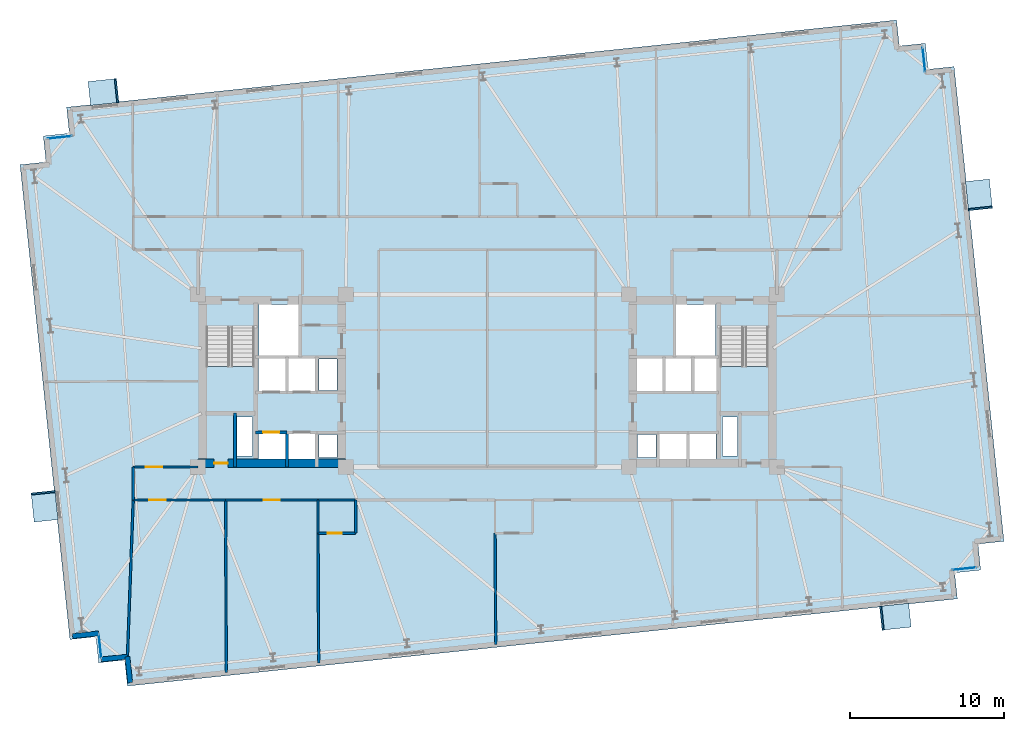
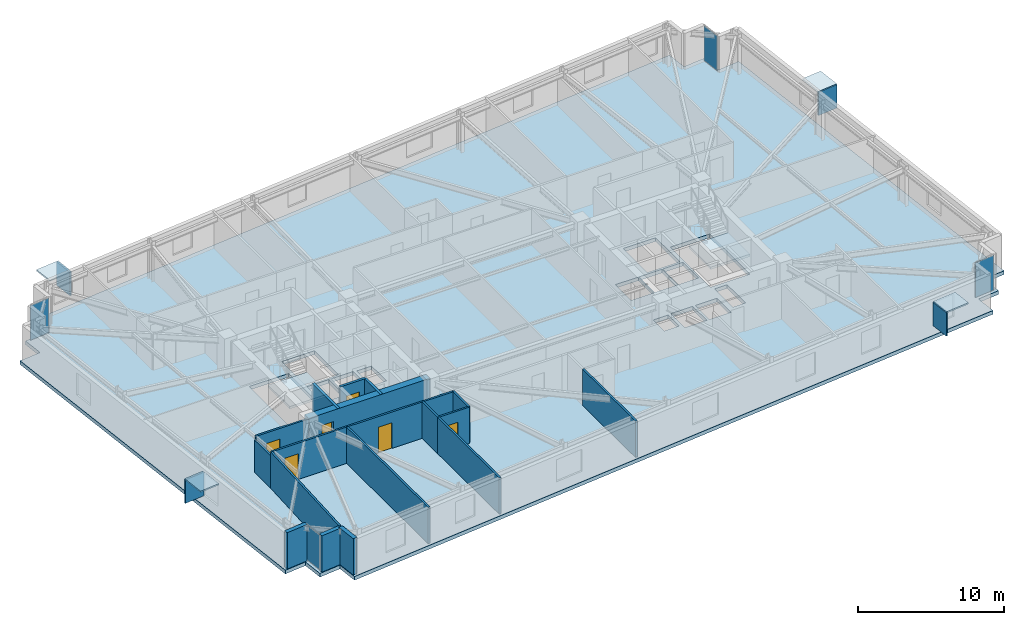
# One storey, part 11 of 17: 19 walls, 12 plates, 6 doors, 3 slabs, 6 openings, 6 elements without a shape of their own.
"""IFC4 building model written with IfcOpenShell, lengths in metres."""

from ifc_helpers import new_model, si_unit, direction, frame, frame_2d, origin, origin_2d, place, context, subcontext, project, spatial, polyline, rectangle, outline, extrude, material, layer, layer_set, type_object, element, fill, aggregate, save


model = new_model("IFC4")

# Units and contexts
model_context = context("Model", 3, precision=1e-05, world=origin(), true_north=direction((0.0, 1.0)))
body_context = subcontext(model_context, "Body", "Model", "MODEL_VIEW")
ifc_project = project(units=[si_unit("LENGTHUNIT", "METRE"), si_unit("AREAUNIT", "SQUARE_METRE"), si_unit("VOLUMEUNIT", "CUBIC_METRE"), si_unit("PLANEANGLEUNIT", "RADIAN"), si_unit("MASSUNIT", "GRAM", prefix="KILO")], contexts=[model_context])

# Site, building, storey
site_placement = place(None, origin())
site = spatial("IfcSite", under=ifc_project, at=site_placement, CompositionType="ELEMENT")
building_placement = place(site_placement, origin())
building = spatial("IfcBuilding", under=site, at=building_placement, Name="Qobustan Lattice House", CompositionType="ELEMENT")
storey_placement = place(building_placement, frame((0.0, 0.0, 105.800048828125)))
storey = spatial("IfcBuildingStorey", under=building, at=storey_placement, Name="L29", CompositionType="ELEMENT", Elevation=105.800048828125)

# Curtain wall, plate
ifc_material_1 = material(Name="Anodised aluminium and low-E glazing", Category="aluminium")
ifc_layer_1 = layer(ifc_material_1, 0.219970703125)
ifc_layer_set_1 = layer_set([ifc_layer_1], Name="Anodised aluminium and low-E glazing")
curtain_wall_type = type_object("IfcCurtainWallType", Name="CW-FAC-01", PredefinedType="USERDEFINED", material=ifc_layer_set_1)
curtain_wall_1_placement = place(storey_placement, origin())
curtain_wall_1 = element("IfcCurtainWall", 1, at=curtain_wall_1_placement, inside=storey, type_object=curtain_wall_type, Name="L29 serrated corner faceted glazing 3", ObjectType="CURTAIN WALL", PredefinedType="USERDEFINED")
ifc_material_2 = material(Name="Clear low-E laminated glass", Category="glass")
ifc_layer_2 = layer(ifc_material_2, 0.031982421875)
ifc_layer_set_2 = layer_set([ifc_layer_2], Name="Clear low-E laminated glass")
plate_type_1 = type_object("IfcPlateType", Name="CWP-VISION-32", PredefinedType="CURTAIN_PANEL", material=ifc_layer_set_2)
plate_1_placement = place(storey_placement, frame((-25.155029296875, -17.2509765625, 0.06494140625), z_axis=(0.0, 0.0, 1.0), x_axis=(-0.104528620025, 0.994521878892, 0.0)))
plate_1 = element("IfcPlate", 2, at=plate_1_placement, type_object=plate_type_1, Name="CW-F1 panel 1.1", PredefinedType="CURTAIN_PANEL", context=body_context, shape_type="SweptSolid", body=[
    extrude(rectangle(XDim=1.56005859375, YDim=0.031982421875, at=origin_2d()), origin(), (0.0, 0.0, 1.0), 2.9150390625),
])
aggregate(curtain_wall_1, [plate_1])

curtain_wall_2_placement = place(storey_placement, origin())
curtain_wall_2 = element("IfcCurtainWall", 3, at=curtain_wall_2_placement, inside=storey, type_object=curtain_wall_type, Name="L29 serrated corner faceted glazing 8", ObjectType="CURTAIN WALL", PredefinedType="USERDEFINED")
plate_2_placement = place(storey_placement, frame((-27.77490234375, 15.80615234375, 0.06494140625), z_axis=(0.0, 0.0, 1.0), x_axis=(0.994521878892, 0.104528620025, 0.0)))
plate_2 = element("IfcPlate", 4, at=plate_2_placement, type_object=plate_type_1, Name="CW-F1 panel 1.1", PredefinedType="CURTAIN_PANEL", context=body_context, shape_type="SweptSolid", body=[
    extrude(rectangle(XDim=1.56005859375, YDim=0.031982421875, at=origin_2d()), origin(), (0.0, 0.0, 1.0), 2.9150390625),
])
aggregate(curtain_wall_2, [plate_2])

curtain_wall_3_placement = place(storey_placement, origin())
curtain_wall_3 = element("IfcCurtainWall", 5, at=curtain_wall_3_placement, inside=storey, type_object=curtain_wall_type, Name="L29 serrated corner faceted glazing 13", ObjectType="CURTAIN WALL", PredefinedType="USERDEFINED")
plate_3_placement = place(storey_placement, frame((28.355224609375, 20.85107421875, 0.06494140625), z_axis=(0.0, 0.0, 1.0), x_axis=(0.104528620025, -0.994521878892, 0.0)))
plate_3 = element("IfcPlate", 6, at=plate_3_placement, type_object=plate_type_1, Name="CW-F1 panel 1.1", PredefinedType="CURTAIN_PANEL", context=body_context, shape_type="SweptSolid", body=[
    extrude(rectangle(XDim=1.56005859375, YDim=0.031982421875, at=origin_2d()), origin(), (0.0, 0.0, 1.0), 2.9150390625),
])
aggregate(curtain_wall_3, [plate_3])

curtain_wall_4_placement = place(storey_placement, origin())
curtain_wall_4 = element("IfcCurtainWall", 7, at=curtain_wall_4_placement, inside=storey, type_object=curtain_wall_type, Name="L29 serrated corner faceted glazing 18", ObjectType="CURTAIN WALL", PredefinedType="USERDEFINED")
plate_4_placement = place(storey_placement, frame((30.974853515625, -12.206298828125, 0.06494140625), z_axis=(0.0, 0.0, 1.0), x_axis=(-0.994521878892, -0.104528620025, 0.0)))
plate_4 = element("IfcPlate", 8, at=plate_4_placement, type_object=plate_type_1, Name="CW-F1 panel 1.1", PredefinedType="CURTAIN_PANEL", context=body_context, shape_type="SweptSolid", body=[
    extrude(rectangle(XDim=1.56005859375, YDim=0.031982421875, at=origin_2d()), origin(), (0.0, 0.0, 1.0), 2.9150390625),
])
aggregate(curtain_wall_4, [plate_4])

# Plates
ifc_material_3 = material(Name="Qobustan limestone GFRC", Category="masonry")
ifc_layer_3 = layer(ifc_material_3, 0.1201171875)
ifc_layer_set_3 = layer_set([ifc_layer_3], Name="Qobustan limestone GFRC")
plate_type_2 = type_object("IfcPlateType", Name="SHD-HOOD-BROW", PredefinedType="USERDEFINED", material=ifc_layer_set_3)
plate_5_placement = place(storey_placement, frame((-28.755615234375, -8.156494140625, 2.699951171875), z_axis=(0.0, 0.0, 1.0), x_axis=(-0.104528463268, 0.994521895368, 0.0)))
element("IfcPlate", 9, at=plate_5_placement, inside=storey, type_object=plate_type_2, Name="L29 splayed Qobustan stone hood brow", ObjectType="SUNSHADE", PredefinedType="USERDEFINED", context=body_context, shape_type="SweptSolid", body=[
    extrude(rectangle(XDim=1.889892578125, YDim=1.56005859375, at=origin_2d()), origin(), (0.0, 0.0, 1.0), 0.1201171875),
])
plate_6_placement = place(storey_placement, frame((-28.84814453125, -7.276123046875, 0.7900390625), z_axis=(0.0, 0.0, 1.0), x_axis=(-0.104528463268, 0.994521895368, 0.0)))
element("IfcPlate", 10, at=plate_6_placement, inside=storey, type_object=plate_type_2, Name="L29 splayed Qobustan stone hood cheek", ObjectType="SUNSHADE", PredefinedType="USERDEFINED", context=body_context, shape_type="SweptSolid", body=[
    extrude(rectangle(XDim=0.1201171875, YDim=1.56005859375, at=origin_2d()), origin(), (0.0, 0.0, 1.0), 1.969970703125),
])
plate_7_placement = place(storey_placement, frame((-24.935302734375, 18.7490234375, 2.699951171875), z_axis=(0.0, 0.0, 1.0), x_axis=(0.994521895368, 0.104528463268, 0.0)))
element("IfcPlate", 11, at=plate_7_placement, inside=storey, type_object=plate_type_2, Name="L29 splayed Qobustan stone hood brow", ObjectType="SUNSHADE", PredefinedType="USERDEFINED", context=body_context, shape_type="SweptSolid", body=[
    extrude(rectangle(XDim=1.840087890625, YDim=1.56005859375, at=origin_2d()), origin(), (0.0, 0.0, 1.0), 0.1201171875),
])
plate_8_placement = place(storey_placement, frame((-24.080078125, 18.839111328125, 0.7900390625), z_axis=(0.0, 0.0, 1.0), x_axis=(0.994521895368, 0.104528463268, 0.0)))
element("IfcPlate", 12, at=plate_8_placement, inside=storey, type_object=plate_type_2, Name="L29 splayed Qobustan stone hood cheek", ObjectType="SUNSHADE", PredefinedType="USERDEFINED", context=body_context, shape_type="SweptSolid", body=[
    extrude(rectangle(XDim=0.1201171875, YDim=1.56005859375, at=origin_2d()), origin(), (0.0, 0.0, 1.0), 1.969970703125),
])
plate_9_placement = place(storey_placement, frame((31.922119140625, 12.074951171875, 2.699951171875), z_axis=(0.0, 0.0, 1.0), x_axis=(0.104528463268, -0.994521895368, 0.0)))
element("IfcPlate", 13, at=plate_9_placement, inside=storey, type_object=plate_type_2, Name="L29 splayed Qobustan stone hood brow", ObjectType="SUNSHADE", PredefinedType="USERDEFINED", context=body_context, shape_type="SweptSolid", body=[
    extrude(rectangle(XDim=1.889892578125, YDim=1.56005859375, at=origin_2d()), origin(), (0.0, 0.0, 1.0), 0.1201171875),
])
plate_10_placement = place(storey_placement, frame((32.0146484375, 11.19482421875, 0.7900390625), z_axis=(0.0, 0.0, 1.0), x_axis=(0.104528463268, -0.994521895368, 0.0)))
element("IfcPlate", 14, at=plate_10_placement, inside=storey, type_object=plate_type_2, Name="L29 splayed Qobustan stone hood cheek", ObjectType="SUNSHADE", PredefinedType="USERDEFINED", context=body_context, shape_type="SweptSolid", body=[
    extrude(rectangle(XDim=0.1201171875, YDim=1.56005859375, at=origin_2d()), origin(), (0.0, 0.0, 1.0), 1.969970703125),
])
plate_11_placement = place(storey_placement, frame((26.503173828125, -15.32080078125, 2.699951171875), z_axis=(0.0, 0.0, 1.0), x_axis=(-0.994521895368, -0.104528463268, 0.0)))
element("IfcPlate", 15, at=plate_11_placement, inside=storey, type_object=plate_type_2, Name="L29 splayed Qobustan stone hood brow", ObjectType="SUNSHADE", PredefinedType="USERDEFINED", context=body_context, shape_type="SweptSolid", body=[
    extrude(rectangle(XDim=1.889892578125, YDim=1.56005859375, at=origin_2d()), origin(), (0.0, 0.0, 1.0), 0.1201171875),
])
plate_12_placement = place(storey_placement, frame((25.623046875, -15.4130859375, 0.7900390625), z_axis=(0.0, 0.0, 1.0), x_axis=(-0.994521895368, -0.104528463268, 0.0)))
element("IfcPlate", 16, at=plate_12_placement, inside=storey, type_object=plate_type_2, Name="L29 splayed Qobustan stone hood cheek", ObjectType="SUNSHADE", PredefinedType="USERDEFINED", context=body_context, shape_type="SweptSolid", body=[
    extrude(rectangle(XDim=0.1201171875, YDim=1.56005859375, at=origin_2d()), origin(), (0.0, 0.0, 1.0), 1.969970703125),
])

# Slab
ifc_material_4 = material(Name="Concrete C40/50", Category="concrete")
ifc_layer_4 = layer(ifc_material_4, 0.304931640625)
ifc_layer_set_4 = layer_set([ifc_layer_4], Name="Concrete C40/50")
slab_type_1 = type_object("IfcSlabType", Name="SLB-FLR-305", PredefinedType="FLOOR", material=ifc_layer_set_4)
slab_1_placement = place(storey_placement, frame((0.0, 0.0, -0.304931640625)))
element("IfcSlab", 17, at=slab_1_placement, inside=storey, type_object=slab_type_1, Name="L29 structural floor slab", PredefinedType="FLOOR", context=body_context, shape_type="SweptSolid", body=[
    extrude(outline(polyline([(-23.3759765625, -19.8291015625), (30.527099609375, -14.163818359375), (30.349365234375, -12.47314453125), (32.0400390625, -12.29541015625), (31.8623046875, -10.604736328125), (33.552978515625, -10.427001953125), (30.312744140625, 20.4033203125), (28.6220703125, 20.2255859375), (28.4443359375, 21.916259765625), (26.753662109375, 21.738525390625), (26.575927734375, 23.42919921875), (-27.3271484375, 17.763671875), (-27.1494140625, 16.072998046875), (-28.840087890625, 15.8955078125), (-28.662353515625, 14.20458984375), (-30.35302734375, 14.027099609375), (-27.11279296875, -16.80322265625), (-25.422119140625, -16.62548828125), (-25.244384765625, -18.316162109375), (-23.5537109375, -18.138427734375), (-23.3759765625, -19.8291015625)]), holes=[polyline([(-18.25, -2.050048828125), (-18.25, 3.489990234375), (-15.1298828125, 3.489990234375), (-15.1298828125, -2.050048828125), (-18.25, -2.050048828125)]), polyline([(15.1298828125, -2.050048828125), (15.1298828125, 3.489990234375), (18.25, 3.489990234375), (18.25, -2.050048828125), (15.1298828125, -2.050048828125)]), polyline([(-14.820068359375, 1.64990234375), (-14.820068359375, 4.9599609375), (-12.25, 4.9599609375), (-12.25, 1.64990234375), (-14.820068359375, 1.64990234375)]), polyline([(12.25, 1.64990234375), (12.25, 4.9599609375), (14.820068359375, 4.9599609375), (14.820068359375, 1.64990234375), (12.25, 1.64990234375)]), polyline([(-16.260009765625, -4.8798828125), (-16.260009765625, -2.360107421875), (-15.260009765625, -2.360107421875), (-15.260009765625, -4.8798828125), (-16.260009765625, -4.8798828125)]), polyline([(15.260009765625, -4.8798828125), (15.260009765625, -2.360107421875), (16.260009765625, -2.360107421875), (16.260009765625, -4.8798828125), (15.260009765625, -4.8798828125)]), polyline([(-14.85009765625, -5.35009765625), (-14.85009765625, -3.419921875), (-13.1201171875, -3.419921875), (-13.1201171875, -5.35009765625), (-14.85009765625, -5.35009765625)]), polyline([(-12.919921875, -5.35009765625), (-12.919921875, -3.419921875), (-11.179931640625, -3.419921875), (-11.179931640625, -5.35009765625), (-12.919921875, -5.35009765625)]), polyline([(-14.85009765625, -0.679931640625), (-14.85009765625, 1.47998046875), (-13.1201171875, 1.47998046875), (-13.1201171875, -0.679931640625), (-14.85009765625, -0.679931640625)]), polyline([(-12.919921875, -0.679931640625), (-12.919921875, 1.47998046875), (-11.179931640625, 1.47998046875), (-11.179931640625, -0.679931640625), (-12.919921875, -0.679931640625)]), polyline([(-10.93994140625, -5.0), (-10.93994140625, -3.47998046875), (-9.760009765625, -3.47998046875), (-9.760009765625, -5.0), (-10.93994140625, -5.0)]), polyline([(-10.93994140625, -0.6201171875), (-10.93994140625, 1.419921875), (-9.760009765625, 1.419921875), (-9.760009765625, -0.6201171875), (-10.93994140625, -0.6201171875)]), polyline([(11.179931640625, -5.35009765625), (11.179931640625, -3.419921875), (12.919921875, -3.419921875), (12.919921875, -5.35009765625), (11.179931640625, -5.35009765625)]), polyline([(13.1201171875, -5.35009765625), (13.1201171875, -3.419921875), (14.85009765625, -3.419921875), (14.85009765625, -5.35009765625), (13.1201171875, -5.35009765625)]), polyline([(9.760009765625, -5.0), (9.760009765625, -3.47998046875), (10.93994140625, -3.47998046875), (10.93994140625, -5.0), (9.760009765625, -5.0)]), polyline([(13.360107421875, -0.679931640625), (13.360107421875, 1.47998046875), (14.97998046875, 1.47998046875), (14.97998046875, -0.679931640625), (13.360107421875, -0.679931640625)]), polyline([(9.6201171875, -0.679931640625), (9.6201171875, 1.47998046875), (11.43994140625, 1.47998046875), (11.43994140625, -0.679931640625), (9.6201171875, -0.679931640625)]), polyline([(11.5, -0.679931640625), (11.5, 1.47998046875), (13.320068359375, 1.47998046875), (13.320068359375, -0.679931640625), (11.5, -0.679931640625)])]), origin(), (0.0, 0.0, 1.0), 0.304931640625),
])

# Stair, slab
ifc_material_5 = material(Name="Concrete C40/50", Category="concrete")
stair_type = type_object("IfcStairType", Name="STR-CORE-DOGLEG", PredefinedType="HALF_TURN_STAIR", material=ifc_material_5)
stair_1_placement = place(storey_placement, origin())
stair_1 = element("IfcStair", 18, at=stair_1_placement, inside=storey, type_object=stair_type, Name="L29 West protected exit stair ST-W1", PredefinedType="HALF_TURN_STAIR")
ifc_material_6 = material(Name="Concrete C40/50", Category="concrete")
ifc_layer_5 = layer(ifc_material_6, 0.199951171875)
ifc_layer_set_5 = layer_set([ifc_layer_5], Name="Concrete C40/50")
slab_type_2 = type_object("IfcSlabType", Name="SLB-LANDING-200", PredefinedType="LANDING", material=ifc_layer_set_5)
slab_2_placement = place(storey_placement, frame((0.0, 0.0, 1.474853515625)))
slab_2 = element("IfcSlab", 19, at=slab_2_placement, type_object=slab_type_2, Name="ST-W1 landing 1", PredefinedType="LANDING", context=body_context, shape_type="SweptSolid", body=[
    extrude(outline(polyline([(-18.25, 0.93505859375), (-18.25, -2.050048828125), (-15.1298828125, -2.050048828125), (-15.1298828125, 0.93505859375), (-18.25, 0.93505859375)])), origin(), (0.0, 0.0, 1.0), 0.2001953125),
])
aggregate(stair_1, [slab_2])

stair_2_placement = place(storey_placement, origin())
stair_2 = element("IfcStair", 20, at=stair_2_placement, inside=storey, type_object=stair_type, Name="L29 East protected exit stair ST-E1", PredefinedType="HALF_TURN_STAIR")
slab_3_placement = place(storey_placement, frame((0.0, 0.0, 1.474853515625)))
slab_3 = element("IfcSlab", 21, at=slab_3_placement, type_object=slab_type_2, Name="ST-E1 landing 1", PredefinedType="LANDING", context=body_context, shape_type="SweptSolid", body=[
    extrude(outline(polyline([(15.1298828125, 0.93505859375), (15.1298828125, -2.050048828125), (18.25, -2.050048828125), (18.25, 0.93505859375), (15.1298828125, 0.93505859375)])), origin(), (0.0, 0.0, 1.0), 0.2001953125),
])
aggregate(stair_2, [slab_3])

# Wall, opening, door
ifc_material_7 = material(Name="Concrete C60/75", Category="concrete")
ifc_layer_6 = layer(ifc_material_7, 0.56005859375)
ifc_layer_set_6 = layer_set([ifc_layer_6], Name="Concrete C60/75")
wall_type_1 = type_object("IfcWallType", Name="WAL-CORE-600", PredefinedType="SHEAR", material=ifc_layer_set_6)
wall_1_placement = place(storey_placement, frame((-18.800048828125, -5.35009765625, 0.0), z_axis=(0.0, 0.0, 1.0), x_axis=(1.0, 0.0, 0.0)))
wall_1 = element("IfcWall", 22, at=wall_1_placement, inside=storey, type_object=wall_type_1, Name="L29 split-core shear wall CW-S", PredefinedType="SHEAR", context=body_context, shape_type="SweptSolid", body=[
    extrude(rectangle(XDim=9.60009765625, YDim=0.56005859375, at=frame_2d((4.800048828125, 0.0))), origin(), (0.0, 0.0, 1.0), 3.044921875),
])
opening_1_placement = place(wall_1_placement, frame((1.050048828125, 0.0, 0.0)))
opening_1 = element("IfcOpeningElement", 23, at=opening_1_placement, cuts=wall_1, Name="Opening RD-01", PredefinedType="OPENING", context=body_context, shape_type="SweptSolid", body=[
    extrude(rectangle(XDim=0.89990234375, YDim=2.10009765625, at=frame_2d((0.449951171875, 1.050048828125))), frame((0.0, 0.2900390625, 0.0), z_axis=(0.0, -1.0, 0.0), x_axis=(1.0, 0.0, 0.0)), (0.0, 0.0, 1.0), 0.580078125),
])
ifc_material_8 = material(Name="Persian walnut timber and steel frame door", Category="steel")
door_type_1 = type_object("IfcDoorType", Name="DOR-RISER-FD-900x2100", OperationType="NOTDEFINED", PredefinedType="DOOR", material=ifc_material_8)
door_1_placement = place(opening_1_placement, origin())
door_1 = element("IfcDoor", 24, at=door_1_placement, inside=storey, type_object=door_type_1, Name="L29 core service riser access door W", OperationType="SINGLE_SWING_LEFT", OverallHeight=2.10009765625, OverallWidth=0.89990234375, PredefinedType="DOOR", context=body_context, shape_type="SweptSolid", body=[
    extrude(rectangle(XDim=0.89990234375, YDim=2.10009765625, at=frame_2d((0.449951171875, 1.050048828125))), frame((0.0, 0.02490234375, 0.0), z_axis=(0.0, -1.0, 0.0), x_axis=(1.0, 0.0, 0.0)), (0.0, 0.0, 1.0), 0.050048828125),
])
fill(opening_1, door_1)

# Walls
ifc_material_9 = material(Name="Precast concrete C40/50", Category="concrete")
ifc_layer_7 = layer(ifc_material_9, 0.320068359375)
ifc_layer_set_7 = layer_set([ifc_layer_7], Name="Precast concrete C40/50")
wall_type_2 = type_object("IfcWallType", Name="WAL-EXT-STONE-320", PredefinedType="SOLIDWALL", material=ifc_layer_set_7)
for number, where, z_axis, x_axis, name in (
    (25, (-23.197998046875, -19.609375, 0.0), (0.0, 0.0, 1.0), (-0.104550220202, 0.994519608382, 0.0), "L29 exterior limestone-clad wall 1"),
    (26, (-23.375732421875, -17.918701171875, 0.0), (0.0, 0.0, 1.0), (-0.994519608382, -0.104550220202, 0.0), "L29 exterior limestone-clad wall 2"),
):
    element("IfcWall", number, at=place(storey_placement, frame(where, z_axis=z_axis, x_axis=x_axis)), inside=storey, type_object=wall_type_2, Name=name, PredefinedType="SOLIDWALL", context=body_context, shape_type="SweptSolid", body=[
        extrude(rectangle(XDim=1.699951171875, YDim=0.320068359375, at=frame_2d((0.85009765625, 0.0))), origin(), (0.0, 0.0, 1.0), 3.044921875),
    ])
wall_2_placement = place(storey_placement, frame((-25.243896484375, -16.40576171875, 0.0), z_axis=(0.0, 0.0, 1.0), x_axis=(-0.994521177842, -0.104535289845, 0.0)))
element("IfcWall", 27, at=wall_2_placement, inside=storey, type_object=wall_type_2, Name="L29 exterior limestone-clad wall 4", PredefinedType="SOLIDWALL", context=body_context, shape_type="SweptSolid", body=[
    extrude(rectangle(XDim=1.7001953125, YDim=0.320068359375, at=frame_2d((0.85009765625, 0.0))), origin(), (0.0, 0.0, 1.0), 3.044921875),
])

# Wall, opening, door
ifc_material_10 = material(Name="Acoustic twin-stud gypsum partition", Category="gypsum")
ifc_layer_8 = layer(ifc_material_10, 0.14990234375)
ifc_layer_set_8 = layer_set([ifc_layer_8], Name="Acoustic twin-stud gypsum partition")
wall_type_3 = type_object("IfcWallType", Name="WAL-PART-150", PredefinedType="PARTITIONING", material=ifc_layer_set_8)
wall_3_placement = place(storey_placement, frame((-23.0, -5.60009765625, 0.0), z_axis=(0.0, 0.0, 1.0), x_axis=(1.0, 0.0, 0.0)))
wall_3 = element("IfcWall", 28, at=wall_3_placement, inside=storey, type_object=wall_type_3, Name="L29 interior partition 52", PredefinedType="PARTITIONING", context=body_context, shape_type="SweptSolid", body=[
    extrude(rectangle(XDim=4.199951171875, YDim=0.14990234375, at=frame_2d((2.10009765625, 0.0))), origin(), (0.0, 0.0, 1.0), 3.044921875),
])
opening_2_placement = place(wall_3_placement, frame((0.82861328125, 0.0, 0.0)))
opening_2 = element("IfcOpeningElement", 29, at=opening_2_placement, cuts=wall_3, Name="Opening ID-02", PredefinedType="OPENING", context=body_context, shape_type="SweptSolid", body=[
    extrude(rectangle(XDim=1.050048828125, YDim=2.14990234375, at=frame_2d((0.52490234375, 1.074951171875))), frame((0.0, 0.0849609375, 0.0), z_axis=(0.0, -1.0, 0.0), x_axis=(1.0, 0.0, 0.0)), (0.0, 0.0, 1.0), 0.169921875),
])
ifc_material_11 = material(Name="Persian walnut timber and steel frame door", Category="steel")
door_type_2 = type_object("IfcDoorType", Name="DOR-STUDY-1050x2150", OperationType="NOTDEFINED", PredefinedType="DOOR", material=ifc_material_11)
door_2_placement = place(opening_2_placement, origin())
door_2 = element("IfcDoor", 30, at=door_2_placement, inside=storey, type_object=door_type_2, Name="L29 South-west floor corridor to Academic seminar room door", OperationType="SINGLE_SWING_LEFT", OverallHeight=2.14990234375, OverallWidth=1.050048828125, PredefinedType="DOOR", context=body_context, shape_type="SweptSolid", body=[
    extrude(rectangle(XDim=1.050048828125, YDim=2.14990234375, at=frame_2d((0.52490234375, 1.074951171875))), frame((0.0, 0.02490234375, 0.0), z_axis=(0.0, -1.0, 0.0), x_axis=(1.0, 0.0, 0.0)), (0.0, 0.0, 1.0), 0.050048828125),
])
fill(opening_2, door_2)

# Wall
wall_4_placement = place(storey_placement, frame((-23.0, -7.75, 0.0), z_axis=(0.0, 0.0, 1.0), x_axis=(0.0, 1.0, 0.0)))
element("IfcWall", 31, at=wall_4_placement, inside=storey, type_object=wall_type_3, Name="L29 interior partition 53", PredefinedType="PARTITIONING", context=body_context, shape_type="SweptSolid", body=[
    extrude(rectangle(XDim=2.14990234375, YDim=0.14990234375, at=frame_2d((1.074951171875, 0.0))), origin(), (0.0, 0.0, 1.0), 2.699951171875),
])

# Wall, opening, door
wall_5_placement = place(storey_placement, frame((-17.0, -7.75, 0.0), z_axis=(0.0, 0.0, 1.0), x_axis=(-1.0, 0.0, 0.0)))
wall_5 = element("IfcWall", 32, at=wall_5_placement, inside=storey, type_object=wall_type_3, Name="L29 interior partition 54", PredefinedType="PARTITIONING", context=body_context, shape_type="SweptSolid", body=[
    extrude(rectangle(XDim=6.0, YDim=0.14990234375, at=frame_2d((3.0, 0.0))), origin(), (0.0, 0.0, 1.0), 3.044921875),
])
opening_3_placement = place(wall_5_placement, frame((3.896240234375, 0.0, 0.0)))
opening_3 = element("IfcOpeningElement", 33, at=opening_3_placement, cuts=wall_5, Name="Opening ID-02", PredefinedType="OPENING", context=body_context, shape_type="SweptSolid", body=[
    extrude(rectangle(XDim=1.050048828125, YDim=2.14990234375, at=frame_2d((0.52490234375, 1.074951171875))), frame((0.0, 0.0849609375, 0.0), z_axis=(0.0, -1.0, 0.0), x_axis=(1.0, 0.0, 0.0)), (0.0, 0.0, 1.0), 0.169921875),
])
door_3_placement = place(opening_3_placement, origin())
door_3 = element("IfcDoor", 34, at=door_3_placement, inside=storey, type_object=door_type_2, Name="L29 South-west floor corridor to Focus study room S1A door", OperationType="SINGLE_SWING_RIGHT", OverallHeight=2.14990234375, OverallWidth=1.050048828125, PredefinedType="DOOR", context=body_context, shape_type="SweptSolid", body=[
    extrude(rectangle(XDim=1.050048828125, YDim=2.14990234375, at=frame_2d((0.52490234375, 1.074951171875))), frame((0.0, 0.02490234375, 0.0), z_axis=(0.0, -1.0, 0.0), x_axis=(1.0, 0.0, 0.0)), (0.0, 0.0, 1.0), 0.050048828125),
])
fill(opening_3, door_3)

wall_6_placement = place(storey_placement, frame((-11.0, -7.75, 0.0), z_axis=(0.0, 0.0, 1.0), x_axis=(-1.0, 0.0, 0.0)))
wall_6 = element("IfcWall", 35, at=wall_6_placement, inside=storey, type_object=wall_type_3, Name="L29 interior partition 55", PredefinedType="PARTITIONING", context=body_context, shape_type="SweptSolid", body=[
    extrude(rectangle(XDim=6.0, YDim=0.14990234375, at=frame_2d((3.0, 0.0))), origin(), (0.0, 0.0, 1.0), 3.044921875),
])
opening_4_placement = place(wall_6_placement, frame((2.47509765625, 0.0, 0.0)))
opening_4 = element("IfcOpeningElement", 36, at=opening_4_placement, cuts=wall_6, Name="Opening ID-02", PredefinedType="OPENING", context=body_context, shape_type="SweptSolid", body=[
    extrude(rectangle(XDim=1.050048828125, YDim=2.14990234375, at=frame_2d((0.52490234375, 1.074951171875))), frame((0.0, 0.0849609375, 0.0), z_axis=(0.0, -1.0, 0.0), x_axis=(1.0, 0.0, 0.0)), (0.0, 0.0, 1.0), 0.169921875),
])
door_4_placement = place(opening_4_placement, origin())
door_4 = element("IfcDoor", 37, at=door_4_placement, inside=storey, type_object=door_type_2, Name="L29 South-west floor corridor to Focus study room S1B door", OperationType="SINGLE_SWING_LEFT", OverallHeight=2.14990234375, OverallWidth=1.050048828125, PredefinedType="DOOR", context=body_context, shape_type="SweptSolid", body=[
    extrude(rectangle(XDim=1.050048828125, YDim=2.14990234375, at=frame_2d((0.52490234375, 1.074951171875))), frame((0.0, 0.02490234375, 0.0), z_axis=(0.0, -1.0, 0.0), x_axis=(1.0, 0.0, 0.0)), (0.0, 0.0, 1.0), 0.050048828125),
])
fill(opening_4, door_4)

# Walls
wall_7_placement = place(storey_placement, frame((-23.0, -7.75, 0.0), z_axis=(0.0, 0.0, 1.0), x_axis=(-0.036924695214, -0.999318050914, 0.0)))
element("IfcWall", 38, at=wall_7_placement, inside=storey, type_object=wall_type_3, Name="L29 interior partition 70", PredefinedType="PARTITIONING", context=body_context, shape_type="SweptSolid", body=[
    extrude(rectangle(XDim=10.175537109375, YDim=0.14990234375, at=frame_2d((5.087890625, 0.0))), origin(), (0.0, 0.0, 1.0), 3.044921875),
])
wall_8_placement = place(storey_placement, frame((-17.0, -7.75, 0.0), z_axis=(0.0, 0.0, 1.0), x_axis=(0.003922478487, -0.999992307052, 0.0)))
element("IfcWall", 39, at=wall_8_placement, inside=storey, type_object=wall_type_3, Name="L29 interior partition 84", PredefinedType="PARTITIONING", context=body_context, shape_type="SweptSolid", body=[
    extrude(rectangle(XDim=11.203369140625, YDim=0.14990234375, at=frame_2d((5.6015625, 0.0))), origin(), (0.0, 0.0, 1.0), 3.044921875),
])
wall_9_placement = place(storey_placement, frame((-11.0, -9.89990234375, 0.0), z_axis=(0.0, 0.0, 1.0), x_axis=(0.005217320294, -0.999986389692, 0.0)))
element("IfcWall", 40, at=wall_9_placement, inside=storey, type_object=wall_type_3, Name="L29 interior partition 85", PredefinedType="PARTITIONING", context=body_context, shape_type="SweptSolid", body=[
    extrude(rectangle(XDim=8.4228515625, YDim=0.14990234375, at=frame_2d((4.21142578125, 0.0))), origin(), (0.0, 0.0, 1.0), 3.044921875),
])
wall_10_placement = place(storey_placement, frame((0.5, -9.89990234375, 0.0), z_axis=(0.0, 0.0, 1.0), x_axis=(0.006091463685, -0.999981446863, 0.0)))
element("IfcWall", 41, at=wall_10_placement, inside=storey, type_object=wall_type_3, Name="L29 interior partition 89", PredefinedType="PARTITIONING", context=body_context, shape_type="SweptSolid", body=[
    extrude(rectangle(XDim=7.21435546875, YDim=0.14990234375, at=frame_2d((3.607177734375, 0.0))), origin(), (0.0, 0.0, 1.0), 3.044921875),
])
ifc_material_12 = material(Name="Concrete C40/50", Category="concrete")
ifc_layer_9 = layer(ifc_material_12, 0.199951171875)
ifc_layer_set_9 = layer_set([ifc_layer_9], Name="Concrete C40/50")
wall_type_4 = type_object("IfcWallType", Name="WAL-SHAFT-200", PredefinedType="PARTITIONING", material=ifc_layer_set_9)
wall_11_placement = place(storey_placement, frame((-16.39990234375, -5.60009765625, 0.0), z_axis=(0.0, 0.0, 1.0), x_axis=(0.0, 1.0, 0.0)))
element("IfcWall", 42, at=wall_11_placement, inside=storey, type_object=wall_type_4, Name="L29 interior partition 1", PredefinedType="PARTITIONING", context=body_context, shape_type="SweptSolid", body=[
    extrude(rectangle(XDim=3.489990234375, YDim=0.199951171875, at=frame_2d((1.7451171875, 0.0))), origin(), (0.0, 0.0, 1.0), 3.044921875),
])

# Wall, opening, door
wall_12_placement = place(storey_placement, frame((-15.050048828125, -3.35009765625, 0.0), z_axis=(0.0, 0.0, 1.0), x_axis=(1.0, 0.0, 0.0)))
wall_12 = element("IfcWall", 43, at=wall_12_placement, inside=storey, type_object=wall_type_4, Name="L29 interior partition 9", PredefinedType="PARTITIONING", context=body_context, shape_type="SweptSolid", body=[
    extrude(rectangle(XDim=2.030029296875, YDim=0.199951171875, at=frame_2d((1.01513671875, 0.0))), origin(), (0.0, 0.0, 1.0), 3.044921875),
])
opening_5_placement = place(wall_12_placement, frame((0.489990234375, 0.0, 0.0)))
opening_5 = element("IfcOpeningElement", 44, at=opening_5_placement, cuts=wall_12, Name="Opening LD-01", PredefinedType="OPENING", context=body_context, shape_type="SweptSolid", body=[
    extrude(rectangle(XDim=1.050048828125, YDim=2.10009765625, at=frame_2d((0.52490234375, 1.050048828125))), frame((0.0, 0.10986328125, 0.0), z_axis=(0.0, -1.0, 0.0), x_axis=(1.0, 0.0, 0.0)), (0.0, 0.0, 1.0), 0.219970703125),
])
ifc_material_13 = material(Name="Persian walnut timber and steel frame door", Category="steel")
door_type_3 = type_object("IfcDoorType", Name="DOR-LIFT-LD-1050x2100", OperationType="NOTDEFINED", PredefinedType="DOOR", material=ifc_material_13)
door_5_placement = place(opening_5_placement, origin())
door_5 = element("IfcDoor", 45, at=door_5_placement, inside=storey, type_object=door_type_3, Name="L29 lift landing door", OperationType="DOUBLE_DOOR_SLIDING", OverallHeight=2.10009765625, OverallWidth=1.050048828125, PredefinedType="DOOR", context=body_context, shape_type="SweptSolid", body=[
    extrude(rectangle(XDim=1.050048828125, YDim=2.10009765625, at=frame_2d((0.52490234375, 1.050048828125))), frame((0.0, 0.02490234375, 0.0), z_axis=(0.0, -1.0, 0.0), x_axis=(1.0, 0.0, 0.0)), (0.0, 0.0, 1.0), 0.050048828125),
])
fill(opening_5, door_5)

# Walls
wall_13_placement = place(storey_placement, frame((-13.02001953125, -5.60009765625, 0.0), z_axis=(0.0, 0.0, 1.0), x_axis=(0.0, 1.0, 0.0)))
element("IfcWall", 46, at=wall_13_placement, inside=storey, type_object=wall_type_4, Name="L29 interior partition 16", PredefinedType="PARTITIONING", context=body_context, shape_type="SweptSolid", body=[
    extrude(rectangle(XDim=2.25, YDim=0.199951171875, at=frame_2d((1.125, 0.0))), origin(), (0.0, 0.0, 1.0), 3.044921875),
])
ifc_material_14 = material(Name="Moisture-resistant acoustic plumbing wall", Category="gypsum")
ifc_layer_10 = layer(ifc_material_14, 0.14990234375)
ifc_layer_set_10 = layer_set([ifc_layer_10], Name="Moisture-resistant acoustic plumbing wall")
wall_type_5 = type_object("IfcWallType", Name="WAL-WET-150", PredefinedType="PLUMBINGWALL", material=ifc_layer_set_10)
wall_14_placement = place(storey_placement, frame((-8.550048828125, -7.75, 0.0), z_axis=(0.0, 0.0, 1.0), x_axis=(-1.0, 0.0, 0.0)))
element("IfcWall", 47, at=wall_14_placement, inside=storey, type_object=wall_type_5, Name="L29 interior partition 57", PredefinedType="PLUMBINGWALL", context=body_context, shape_type="SweptSolid", body=[
    extrude(rectangle(XDim=2.449951171875, YDim=0.14990234375, at=frame_2d((1.22509765625, 0.0))), origin(), (0.0, 0.0, 1.0), 3.044921875),
])
wall_15_placement = place(storey_placement, frame((-11.0, -7.75, 0.0), z_axis=(0.0, 0.0, 1.0), x_axis=(0.0, -1.0, 0.0)))
element("IfcWall", 48, at=wall_15_placement, inside=storey, type_object=wall_type_5, Name="L29 interior partition 86", PredefinedType="PLUMBINGWALL", context=body_context, shape_type="SweptSolid", body=[
    extrude(rectangle(XDim=2.14990234375, YDim=0.14990234375, at=frame_2d((1.074951171875, 0.0))), origin(), (0.0, 0.0, 1.0), 3.044921875),
])

# Wall, opening, door
wall_16_placement = place(storey_placement, frame((-11.0, -9.89990234375, 0.0), z_axis=(0.0, 0.0, 1.0), x_axis=(1.0, 0.0, 0.0)))
wall_16 = element("IfcWall", 49, at=wall_16_placement, inside=storey, type_object=wall_type_5, Name="L29 interior partition 87", PredefinedType="PLUMBINGWALL", context=body_context, shape_type="SweptSolid", body=[
    extrude(rectangle(XDim=2.449951171875, YDim=0.14990234375, at=frame_2d((1.22509765625, 0.0))), origin(), (0.0, 0.0, 1.0), 3.044921875),
])
opening_6_placement = place(wall_16_placement, frame((0.628662109375, 0.0, 0.0)))
opening_6 = element("IfcOpeningElement", 50, at=opening_6_placement, cuts=wall_16, Name="Opening WD-01", PredefinedType="OPENING", context=body_context, shape_type="SweptSolid", body=[
    extrude(rectangle(XDim=0.89990234375, YDim=2.10009765625, at=frame_2d((0.449951171875, 1.050048828125))), frame((0.0, 0.0849609375, 0.0), z_axis=(0.0, -1.0, 0.0), x_axis=(1.0, 0.0, 0.0)), (0.0, 0.0, 1.0), 0.169921875),
])
ifc_material_15 = material(Name="Persian walnut timber and steel frame door", Category="steel")
door_type_4 = type_object("IfcDoorType", Name="DOR-WET-900x2100", OperationType="NOTDEFINED", PredefinedType="DOOR", material=ifc_material_15)
door_6_placement = place(opening_6_placement, origin())
door_6 = element("IfcDoor", 51, at=door_6_placement, inside=storey, type_object=door_type_4, Name="L29 Kitchenette and studio apartment L29-S2 to En-suite bathroom L29-S2 door", OperationType="SINGLE_SWING_RIGHT", OverallHeight=2.10009765625, OverallWidth=0.89990234375, PredefinedType="DOOR", context=body_context, shape_type="SweptSolid", body=[
    extrude(rectangle(XDim=0.89990234375, YDim=2.10009765625, at=frame_2d((0.449951171875, 1.050048828125))), frame((0.0, 0.02490234375, 0.0), z_axis=(0.0, -1.0, 0.0), x_axis=(1.0, 0.0, 0.0)), (0.0, 0.0, 1.0), 0.050048828125),
])
fill(opening_6, door_6)

# Wall
wall_17_placement = place(storey_placement, frame((-8.550048828125, -9.89990234375, 0.0), z_axis=(0.0, 0.0, 1.0), x_axis=(0.0, 1.0, 0.0)))
element("IfcWall", 52, at=wall_17_placement, inside=storey, type_object=wall_type_5, Name="L29 interior partition 88", PredefinedType="PLUMBINGWALL", context=body_context, shape_type="SweptSolid", body=[
    extrude(rectangle(XDim=2.14990234375, YDim=0.14990234375, at=frame_2d((1.074951171875, 0.0))), origin(), (0.0, 0.0, 1.0), 3.044921875),
])

save(model, "model.ifc")
